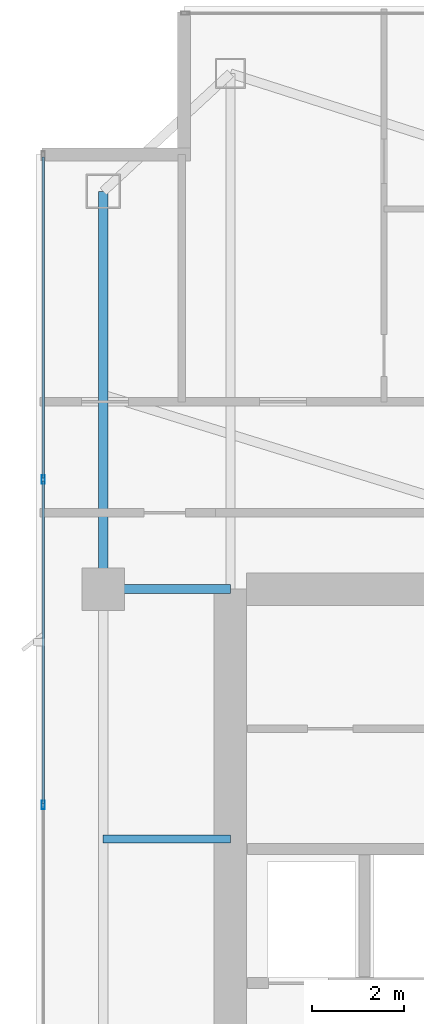
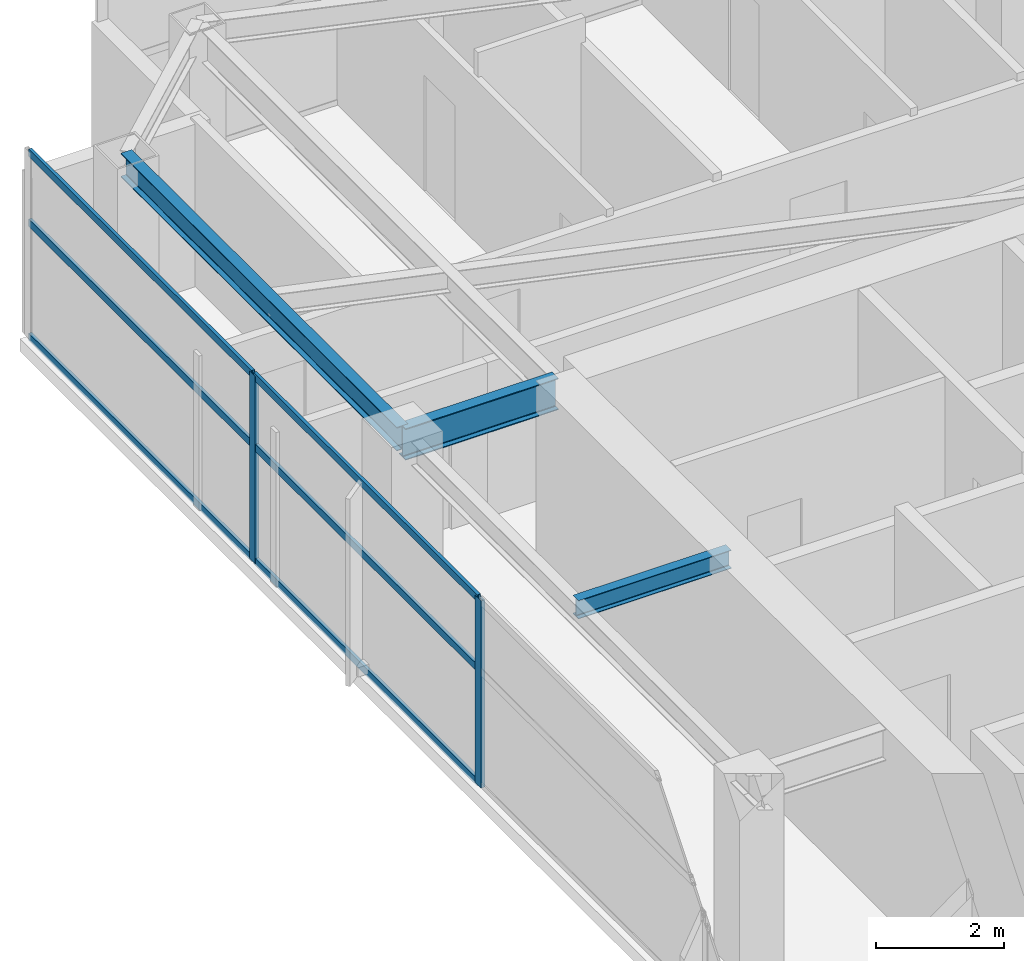
# One storey, part 15 of 27: 8 members, 3 beams, 1 element without a shape of its own.
"""IFC4 building model written with IfcOpenShell, lengths in metres."""

import ifcopenshell
import ifcopenshell.guid

model = None  # the IFC model being written
_history = None  # IfcOwnerHistory: only IFC2X3 demands one
_inside = {}  # id of a spatial element -> (the spatial element, [elements in it])
_under = {}  # id of a project, library or spatial element -> (it, [spatial elements below it])
_declared = {}  # id of a project -> (the project, [libraries it declares])
_typed = {}  # id of a type object -> (the type object, [elements of that type])
_made_of = {}  # id of a material, layer set ... -> (it, [elements and type objects made of it])


def new_model(schema):
    """Start an empty IFC model of exactly this schema.

    Asked for "IFC4X3", IfcOpenShell would pick the latest addendum, in which some entities
    have other attributes; the version numbers below select the first issue.
    IFC2X3 requires an IfcOwnerHistory on every rooted entity: one is made here for all.
    """
    global model, _history
    if schema == "IFC4X3":
        model = ifcopenshell.file(schema_version=(4, 3, 0, 0))
    else:
        model = ifcopenshell.file(schema=schema)
    _inside.clear()
    _under.clear()
    _declared.clear()
    _typed.clear()
    _made_of.clear()
    _history = None
    if model.schema == "IFC2X3":
        org = make("IfcOrganization", Name="unknown")
        user = make(
            "IfcPersonAndOrganization",
            ThePerson=make("IfcPerson", FamilyName="unknown"),
            TheOrganization=org,
        )
        app = make(
            "IfcApplication",
            ApplicationDeveloper=org,
            Version="unknown",
            ApplicationFullName="unknown",
            ApplicationIdentifier="unknown",
        )
        _history = make(
            "IfcOwnerHistory",
            OwningUser=user,
            OwningApplication=app,
            ChangeAction="ADDED",
            CreationDate=0,
        )
    return model


def make(cls, **values):
    """One entity of the class cls with the attributes given. An attribute that is None is left unset."""
    return model.create_entity(
        cls, **{name: value for name, value in values.items() if value is not None}
    )


def rooted(cls, **values):
    """An entity with a GlobalId (a new one), such as an element, a storey or a relation."""
    return make(cls, GlobalId=ifcopenshell.guid.new(), OwnerHistory=_history, **values)


def si_unit(unit_type, name, prefix=None):
    """IfcSIUnit, for example si_unit("LENGTHUNIT", "METRE", prefix="MILLI")."""
    return make("IfcSIUnit", UnitType=unit_type, Prefix=prefix, Name=name)


def assignment(units):
    """IfcUnitAssignment: the units of a project."""
    return None if units is None else make("IfcUnitAssignment", Units=units)


def point(xyz):
    """IfcCartesianPoint."""
    return None if xyz is None else make("IfcCartesianPoint", Coordinates=xyz)


def direction(xyz):
    """IfcDirection."""
    return None if xyz is None else make("IfcDirection", DirectionRatios=xyz)


def frame(location, z_axis=None, x_axis=None):
    """IfcAxis2Placement3D, a coordinate frame: its origin and axes. An axis left out is left unset."""
    return make(
        "IfcAxis2Placement3D",
        Location=point(location),
        Axis=direction(z_axis),
        RefDirection=direction(x_axis),
    )


def frame_2d(location, x_axis=None):
    """IfcAxis2Placement2D, a coordinate frame in the plane: its origin and x axis."""
    return make(
        "IfcAxis2Placement2D", Location=point(location), RefDirection=direction(x_axis)
    )


def origin():
    """The frame at (0, 0, 0) with its axes left unset."""
    return frame((0.0, 0.0, 0.0))


def origin_2d():
    """The frame at (0, 0) in the plane with its x axis left unset."""
    return frame_2d((0.0, 0.0))


def place(relative_to, where):
    """IfcLocalPlacement: puts the frame where relative to a parent placement (None: the world)."""
    return make(
        "IfcLocalPlacement", PlacementRelTo=relative_to, RelativePlacement=where
    )


def context(
    kind, dimensions, precision=None, world=None, true_north=None, identifier=None
):
    """IfcGeometricRepresentationContext, for example the 3D "Model" context."""
    return make(
        "IfcGeometricRepresentationContext",
        ContextIdentifier=identifier,
        ContextType=kind,
        CoordinateSpaceDimension=dimensions,
        Precision=precision,
        WorldCoordinateSystem=world,
        TrueNorth=true_north,
    )


def subcontext(parent, identifier, kind, view, scale=None):
    """IfcGeometricRepresentationSubContext, for example "Body" below "Model"."""
    return make(
        "IfcGeometricRepresentationSubContext",
        ContextIdentifier=identifier,
        ContextType=kind,
        ParentContext=parent,
        TargetScale=scale,
        TargetView=view,
    )


def project(units=None, contexts=None):
    """IfcProject with its units and contexts."""
    return rooted(
        "IfcProject",
        Name="project",
        RepresentationContexts=contexts,
        UnitsInContext=assignment(units),
    )


def spatial(cls, under=None, at=None, **own):
    """A site, building, storey or space (cls), placed at a placement, below another one or the project."""
    s = rooted(cls, ObjectPlacement=at, **own)
    if under is not None:
        _under.setdefault(under.id(), (under, []))[1].append(s)
    return s


def profile(cls, at=None, kind="AREA", **sizes):
    """A parametric profile (cls). Its sizes go by their IFC names, for example OverallWidth=200.0."""
    return make(cls, ProfileType=kind, Position=at, **sizes)


def hollow_rectangle(**sizes):
    """IfcRectangleHollowProfileDef."""
    return profile("IfcRectangleHollowProfileDef", **sizes)


def i_section(**sizes):
    """IfcIShapeProfileDef."""
    return profile("IfcIShapeProfileDef", **sizes)


def extrude(swept, where, along, depth):
    """IfcExtrudedAreaSolid: the profile swept, set in the frame where, extruded along a direction by depth."""
    return make(
        "IfcExtrudedAreaSolid",
        SweptArea=swept,
        Position=where,
        ExtrudedDirection=direction(along),
        Depth=depth,
    )


def shape(context_of_items, identifier, shape_type, items):
    """IfcShapeRepresentation: the items that make up one representation, for example the "Body"."""
    return make(
        "IfcShapeRepresentation",
        ContextOfItems=context_of_items,
        RepresentationIdentifier=identifier,
        RepresentationType=shape_type,
        Items=items,
    )


def material(Name=None, Category=None):
    """IfcMaterial."""
    return make("IfcMaterial", Name=Name, Category=Category)


def layer(
    of_material, thickness, ventilated=None, Name=None, Category=None, Priority=None
):
    """IfcMaterialLayer: one layer of a wall or slab, of a material (None: an air gap)."""
    return make(
        "IfcMaterialLayer",
        Material=of_material,
        LayerThickness=thickness,
        IsVentilated=ventilated,
        Name=Name,
        Category=Category,
        Priority=Priority,
    )


def layer_set(layers, Name=None):
    """IfcMaterialLayerSet."""
    return make("IfcMaterialLayerSet", MaterialLayers=layers, LayerSetName=Name)


def material_profile(
    of_material, cross_section, Name=None, Category=None, Priority=None
):
    """IfcMaterialProfile: a cross section and its material."""
    return make(
        "IfcMaterialProfile",
        Name=Name,
        Material=of_material,
        Profile=cross_section,
        Priority=Priority,
        Category=Category,
    )


def profile_set(profiles, Name=None, composite=None):
    """IfcMaterialProfileSet."""
    return make(
        "IfcMaterialProfileSet",
        Name=Name,
        MaterialProfiles=profiles,
        CompositeProfile=composite,
    )


def made_of(thing, what):
    """Note that an element or type object is made of a material, layer set ...; save() writes the relation."""
    if what is not None:
        _made_of.setdefault(what.id(), (what, []))[1].append(thing)
    return thing


def type_object(cls, material=None, **own):
    """A type object (cls), such as IfcWallType, which elements share."""
    return made_of(rooted(cls, **own), material)


def element(
    cls,
    number,
    at=None,
    inside=None,
    cuts=None,
    type_object=None,
    material=None,
    context=None,
    identifier="Body",
    shape_type=None,
    held_by="IfcProductDefinitionShape",
    body=None,
    shapes=None,
    **own,
):
    """One element of the class cls, such as IfcWall. Its Tag is "e" and its number.

    at: its placement. inside: the storey or other place that contains it. cuts: it is an
    opening in that element (IfcRelVoidsElement). A single representation is given by context,
    identifier, shape_type and body (its items); several are given by shapes. held_by: the class
    of the entity that holds the representations. save() writes the other relations.
    """
    e = rooted(cls, Tag="e%d" % number, ObjectPlacement=at, **own)
    if body is not None:
        shapes = [shape(context, identifier, shape_type, body)]
    if shapes is not None:
        e.Representation = make(held_by, Representations=shapes)
    if inside is not None:
        _inside.setdefault(inside.id(), (inside, []))[1].append(e)
    if cuts is not None:
        rooted(
            "IfcRelVoidsElement", RelatingBuildingElement=cuts, RelatedOpeningElement=e
        )
    if type_object is not None:
        _typed.setdefault(type_object.id(), (type_object, []))[1].append(e)
    return made_of(e, material)


def aggregate(whole, parts):
    """IfcRelAggregates: a whole, such as a stair, and the parts it consists of."""
    return rooted("IfcRelAggregates", RelatingObject=whole, RelatedObjects=parts)


def save(model, path):
    """Write the relations noted so far, then the file.

    IfcRelAggregates (storeys below a building ...), IfcRelContainedInSpatialStructure (elements
    in a storey), IfcRelDefinesByType, IfcRelAssociatesMaterial and IfcRelDeclares: one each for
    every whole, place, type object, material and project.
    """
    for whole, parts in _under.values():
        aggregate(whole, parts)
    for where, things in _inside.values():
        rooted(
            "IfcRelContainedInSpatialStructure",
            RelatedElements=things,
            RelatingStructure=where,
        )
    for kind, things in _typed.values():
        rooted("IfcRelDefinesByType", RelatedObjects=things, RelatingType=kind)
    for what, things in _made_of.values():
        rooted("IfcRelAssociatesMaterial", RelatedObjects=things, RelatingMaterial=what)
    for by, libraries in _declared.values():
        rooted("IfcRelDeclares", RelatingContext=by, RelatedDefinitions=libraries)
    model.write(path)


model = new_model("IFC4")

# Units and contexts
model_context = context("Model", 3, precision=1e-05, world=origin(), true_north=direction((0.0, 1.0)))
body_context = subcontext(model_context, "Body", "Model", "MODEL_VIEW")
ifc_project = project(units=[si_unit("LENGTHUNIT", "METRE"), si_unit("AREAUNIT", "SQUARE_METRE"), si_unit("VOLUMEUNIT", "CUBIC_METRE"), si_unit("PLANEANGLEUNIT", "RADIAN"), si_unit("MASSUNIT", "GRAM", prefix="KILO")], contexts=[model_context])

# Site, building, storey
site_placement = place(None, origin())
site = spatial("IfcSite", under=ifc_project, at=site_placement, CompositionType="ELEMENT")
building_placement = place(site_placement, origin())
building = spatial("IfcBuilding", under=site, at=building_placement, Name="Calvorn Quay Hotel", CompositionType="ELEMENT")
storey_placement = place(building_placement, frame((0.0, 0.0, 226.89990234375)))
storey = spatial("IfcBuildingStorey", under=building, at=storey_placement, Name="L56", CompositionType="ELEMENT", Elevation=226.89990234375)

# Beams
ifc_material_1 = material(Name="Steel Q355B", Category="steel")
ifc_material_profile_1 = material_profile(ifc_material_1, i_section(OverallWidth=0.199951171875, OverallDepth=0.60009765625, WebThickness=0.010986328125, FlangeThickness=0.01708984375, FilletRadius=0.01806640625, at=origin_2d()), Name="HN600x200x11x17")
ifc_profile_set_1 = profile_set([ifc_material_profile_1], Name="Steel Q355B")
beam_type_1 = type_object("IfcBeamType", Name="BM-GIRD-TYP", PredefinedType="BEAM", material=ifc_profile_set_1)
beam_1_placement = place(storey_placement, frame((1.449951171875, 38.39990234375, 3.239990234375), z_axis=(1.0, 0.0, 0.0), x_axis=(0.0, 1.0, 0.0)))
element("IfcBeam", 1, at=beam_1_placement, inside=storey, type_object=beam_type_1, Name="Beam BG-L56-W3", PredefinedType="BEAM", context=body_context, shape_type="SweptSolid", body=[
    extrude(i_section(OverallWidth=0.199951171875, OverallDepth=0.60009765625, WebThickness=0.010986328125, FlangeThickness=0.01708984375, FilletRadius=0.01806640625, at=origin_2d()), origin(), (0.0, 0.0, 1.0), 2.75),
])
ifc_material_2 = material(Name="Steel Q355B", Category="steel")
ifc_material_profile_2 = material_profile(ifc_material_2, i_section(OverallWidth=0.175048828125, OverallDepth=0.35009765625, WebThickness=0.007080078125, FlangeThickness=0.010986328125, FilletRadius=0.013916015625, at=origin_2d()), Name="HN350x175x7x11")
ifc_profile_set_2 = profile_set([ifc_material_profile_2], Name="Steel Q355B")
beam_type_2 = type_object("IfcBeamType", Name="BM-JOIST-SEC", PredefinedType="JOIST", material=ifc_profile_set_2)
beam_2_placement = place(storey_placement, frame((1.449951171875, 33.0, 3.364990234375), z_axis=(1.0, 0.0, 0.0), x_axis=(0.0, 1.0, 0.0)))
element("IfcBeam", 2, at=beam_2_placement, inside=storey, type_object=beam_type_2, Name="Beam BJ-L56-W4", PredefinedType="JOIST", context=body_context, shape_type="SweptSolid", body=[
    extrude(i_section(OverallWidth=0.175048828125, OverallDepth=0.35009765625, WebThickness=0.007080078125, FlangeThickness=0.010986328125, FilletRadius=0.013916015625, at=origin_2d()), origin(), (0.0, 0.0, 1.0), 2.75),
])
ifc_material_3 = material(Name="Steel Q355B", Category="steel")
ifc_material_profile_3 = material_profile(ifc_material_3, i_section(OverallWidth=0.199951171875, OverallDepth=0.449951171875, WebThickness=0.009033203125, FlangeThickness=0.013916015625, FilletRadius=0.01611328125, at=origin_2d()), Name="HN450x200x9x14")
ifc_profile_set_3 = profile_set([ifc_material_profile_3], Name="Steel Q355B")
beam_type_3 = type_object("IfcBeamType", Name="BM-SPANDREL-Z3", PredefinedType="SPANDREL", material=ifc_profile_set_3)
beam_3_placement = place(storey_placement, frame((1.449951171875, 38.39990234375, 3.315185546875), z_axis=(0.0, 1.0, 0.0), x_axis=(-1.0, 0.0, 0.0)))
element("IfcBeam", 3, at=beam_3_placement, inside=storey, type_object=beam_type_3, Name="Beam BSP-L56-W4", PredefinedType="SPANDREL", context=body_context, shape_type="SweptSolid", body=[
    extrude(i_section(OverallWidth=0.199951171875, OverallDepth=0.449951171875, WebThickness=0.009033203125, FlangeThickness=0.013916015625, FilletRadius=0.01611328125, at=origin_2d()), origin(), (0.0, 0.0, 1.0), 8.60009765625),
])

# Curtain wall, members
ifc_material_4 = material(Name="Champagne Bronze Anodised Aluminium and Low-E Glass", Category="aluminium")
ifc_layer = layer(ifc_material_4, 0.219970703125)
ifc_layer_set = layer_set([ifc_layer], Name="CW-SYS-Z3")
curtain_wall_type = type_object("IfcCurtainWallType", Name="CW-SYS-Z3", PredefinedType="NOTDEFINED", material=ifc_layer_set)
curtain_wall_placement = place(storey_placement, origin())
curtain_wall = element("IfcCurtainWall", 4, at=curtain_wall_placement, inside=storey, type_object=curtain_wall_type, Name="Tower West Curtain Wall (L56)", PredefinedType="NOTDEFINED")
ifc_material_5 = material(Name="Champagne Bronze Anodised Aluminium 6063-T6", Category="aluminium")
ifc_material_profile_4 = material_profile(ifc_material_5, hollow_rectangle(XDim=0.068115234375, YDim=0.18505859375, WallThickness=0.00390625, at=origin_2d()), Name="ALU-M185x68x4")
ifc_profile_set_4 = profile_set([ifc_material_profile_4], Name="Champagne Bronze Anodised Aluminium 6063-T6")
member_type_1 = type_object("IfcMemberType", Name="CW-SYS-Z3-MUL", PredefinedType="MULLION", material=ifc_profile_set_4)
member_1_placement = place(storey_placement, frame((0.14990234375, 33.7333984375, 0.0), z_axis=(0.0, 0.0, 1.0), x_axis=(-1.0, 0.0, 0.0)))
member_1 = element("IfcMember", 5, at=member_1_placement, type_object=member_type_1, Name="CW-L56-W mullion 5", PredefinedType="MULLION", context=body_context, shape_type="SweptSolid", body=[
    extrude(hollow_rectangle(XDim=0.068115234375, YDim=0.18505859375, WallThickness=0.00390625, at=origin_2d()), origin(), (0.0, 0.0, 1.0), 3.56005859375),
])
member_2_placement = place(storey_placement, frame((0.14990234375, 40.7666015625, 0.0), z_axis=(0.0, 0.0, 1.0), x_axis=(-1.0, 0.0, 0.0)))
member_2 = element("IfcMember", 6, at=member_2_placement, type_object=member_type_1, Name="CW-L56-W mullion 6", PredefinedType="MULLION", context=body_context, shape_type="SweptSolid", body=[
    extrude(hollow_rectangle(XDim=0.068115234375, YDim=0.18505859375, WallThickness=0.00390625, at=origin_2d()), origin(), (0.0, 0.0, 1.0), 3.56005859375),
])
ifc_material_6 = material(Name="Champagne Bronze Anodised Aluminium 6063-T6", Category="aluminium")
ifc_material_profile_5 = material_profile(ifc_material_6, hollow_rectangle(XDim=0.05810546875, YDim=0.139892578125, WallThickness=0.003173828125, at=origin_2d()), Name="ALU-T140x58x3.2")
ifc_profile_set_5 = profile_set([ifc_material_profile_5], Name="Champagne Bronze Anodised Aluminium 6063-T6")
member_type_2 = type_object("IfcMemberType", Name="CW-SYS-Z3-TRN", PredefinedType="USERDEFINED", material=ifc_profile_set_5)
member_3_placement = place(storey_placement, frame((0.14990234375, 33.763427734375, 0.030029296875), z_axis=(0.0, 1.0, 0.0), x_axis=(-1.0, 0.0, 0.0)))
member_3 = element("IfcMember", 7, at=member_3_placement, type_object=member_type_2, Name="CW-L56-W transom 5.1", ObjectType="TRANSOM", PredefinedType="USERDEFINED", context=body_context, shape_type="SweptSolid", body=[
    extrude(hollow_rectangle(XDim=0.05810546875, YDim=0.139892578125, WallThickness=0.003173828125, at=origin_2d()), origin(), (0.0, 0.0, 1.0), 6.97314453125),
])
member_4_placement = place(storey_placement, frame((0.14990234375, 33.763427734375, 2.2001953125), z_axis=(0.0, 1.0, 0.0), x_axis=(-1.0, 0.0, 0.0)))
member_4 = element("IfcMember", 8, at=member_4_placement, type_object=member_type_2, Name="CW-L56-W transom 5.2", ObjectType="TRANSOM", PredefinedType="USERDEFINED", context=body_context, shape_type="SweptSolid", body=[
    extrude(hollow_rectangle(XDim=0.05810546875, YDim=0.139892578125, WallThickness=0.003173828125, at=origin_2d()), origin(), (0.0, 0.0, 1.0), 6.97314453125),
])
member_5_placement = place(storey_placement, frame((0.14990234375, 33.763427734375, 3.530029296875), z_axis=(0.0, 1.0, 0.0), x_axis=(-1.0, 0.0, 0.0)))
member_5 = element("IfcMember", 9, at=member_5_placement, type_object=member_type_2, Name="CW-L56-W transom 5.3", ObjectType="TRANSOM", PredefinedType="USERDEFINED", context=body_context, shape_type="SweptSolid", body=[
    extrude(hollow_rectangle(XDim=0.05810546875, YDim=0.139892578125, WallThickness=0.003173828125, at=origin_2d()), origin(), (0.0, 0.0, 1.0), 6.97314453125),
])
member_6_placement = place(storey_placement, frame((0.14990234375, 40.796630859375, 0.030029296875), z_axis=(0.0, 1.0, 0.0), x_axis=(-1.0, 0.0, 0.0)))
member_6 = element("IfcMember", 10, at=member_6_placement, type_object=member_type_2, Name="CW-L56-W transom 6.1", ObjectType="TRANSOM", PredefinedType="USERDEFINED", context=body_context, shape_type="SweptSolid", body=[
    extrude(hollow_rectangle(XDim=0.05810546875, YDim=0.139892578125, WallThickness=0.003173828125, at=origin_2d()), origin(), (0.0, 0.0, 1.0), 6.943359375),
])
member_7_placement = place(storey_placement, frame((0.14990234375, 40.796630859375, 2.2001953125), z_axis=(0.0, 1.0, 0.0), x_axis=(-1.0, 0.0, 0.0)))
member_7 = element("IfcMember", 11, at=member_7_placement, type_object=member_type_2, Name="CW-L56-W transom 6.2", ObjectType="TRANSOM", PredefinedType="USERDEFINED", context=body_context, shape_type="SweptSolid", body=[
    extrude(hollow_rectangle(XDim=0.05810546875, YDim=0.139892578125, WallThickness=0.003173828125, at=origin_2d()), origin(), (0.0, 0.0, 1.0), 6.943359375),
])
member_8_placement = place(storey_placement, frame((0.14990234375, 40.796630859375, 3.530029296875), z_axis=(0.0, 1.0, 0.0), x_axis=(-1.0, 0.0, 0.0)))
member_8 = element("IfcMember", 12, at=member_8_placement, type_object=member_type_2, Name="CW-L56-W transom 6.3", ObjectType="TRANSOM", PredefinedType="USERDEFINED", context=body_context, shape_type="SweptSolid", body=[
    extrude(hollow_rectangle(XDim=0.05810546875, YDim=0.139892578125, WallThickness=0.003173828125, at=origin_2d()), origin(), (0.0, 0.0, 1.0), 6.943359375),
])
aggregate(curtain_wall, [member_1, member_2, member_3, member_4, member_5, member_6, member_7, member_8])

save(model, "model.ifc")
